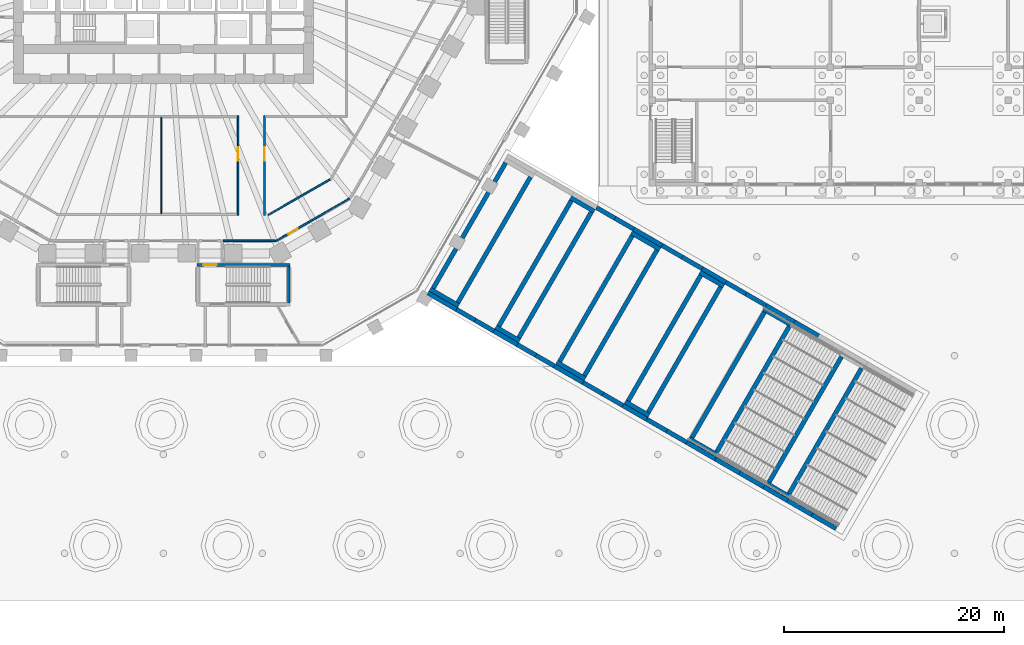
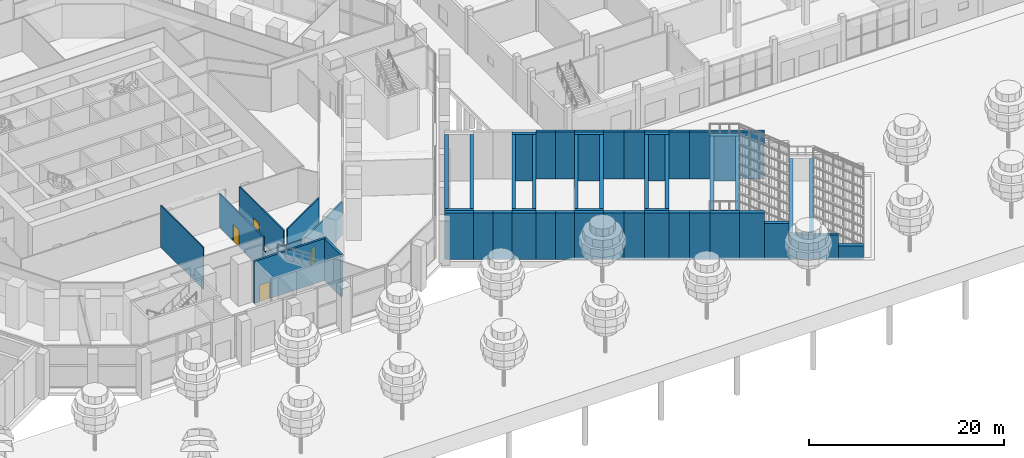
# One storey, part 19 of 44: 58 walls, 4 doors, 4 openings.
"""IFC4 building model written with IfcOpenShell, lengths in metres."""

from ifc_helpers import new_model, si_unit, direction, frame, frame_2d, origin, place, context, subcontext, project, spatial, rectangle, extrude, material, layer, layer_set, type_object, element, fill, save


model = new_model("IFC4")

# Units and contexts
model_context = context("Model", 3, precision=1e-05, world=origin(), true_north=direction((0.0, 1.0)))
body_context = subcontext(model_context, "Body", "Model", "MODEL_VIEW")
ifc_project = project(units=[si_unit("LENGTHUNIT", "METRE"), si_unit("AREAUNIT", "SQUARE_METRE"), si_unit("VOLUMEUNIT", "CUBIC_METRE"), si_unit("PLANEANGLEUNIT", "RADIAN"), si_unit("MASSUNIT", "GRAM", prefix="KILO")], contexts=[model_context])

# Site, building, storey
site_placement = place(None, origin())
site = spatial("IfcSite", under=ifc_project, at=site_placement, CompositionType="ELEMENT")
building_placement = place(site_placement, origin())
building = spatial("IfcBuilding", under=site, at=building_placement, Name="Frailejon Research Tower", CompositionType="ELEMENT")
storey_placement = place(building_placement, origin())
storey = spatial("IfcBuildingStorey", under=building, at=storey_placement, Name="L00", CompositionType="ELEMENT", Elevation=0.0)

# Walls
ifc_material_1 = material(Name="Gypsum board and masonry partition", Category="masonry")
ifc_layer_1 = layer(ifc_material_1, 0.14990234375)
ifc_layer_set_1 = layer_set([ifc_layer_1], Name="Corridor wall EI 60, gypsum on steel studs 150")
wall_type_1 = type_object("IfcWallType", Name="Corridor wall EI 60, gypsum on steel studs 150", PredefinedType="PARTITIONING", material=ifc_layer_set_1)
wall_1_placement = place(storey_placement, frame((5.431884765625, -25.550048828125, 0.0), z_axis=(0.0, 0.0, 1.0), x_axis=(1.0, 0.0, 0.0)))
element("IfcWall", 1, at=wall_1_placement, inside=storey, type_object=wall_type_1, Name="T:IW:L00:035", PredefinedType="PARTITIONING", context=body_context, shape_type="SweptSolid", body=[
    extrude(rectangle(XDim=4.764892578125, YDim=0.14990234375, at=frame_2d((2.38232421875, 0.0))), origin(), (0.0, 0.0, 1.0), 4.199951171875),
])
wall_2_placement = place(storey_placement, frame((9.563720703125, -23.1875, 0.0), z_axis=(0.0, 0.0, 1.0), x_axis=(0.866024786089, 0.500001069878, 0.0)))
element("IfcWall", 2, at=wall_2_placement, inside=storey, type_object=wall_type_1, Name="T:IW:L00:036", PredefinedType="PARTITIONING", context=body_context, shape_type="SweptSolid", body=[
    extrude(rectangle(XDim=6.47265625, YDim=0.14990234375, at=frame_2d((3.236328125, 0.0))), origin(), (0.0, 0.0, 1.0), 4.199951171875),
])

# Wall, opening, door
wall_3_placement = place(storey_placement, frame((10.206787109375, -25.58740234375, 0.0), z_axis=(0.0, 0.0, 1.0), x_axis=(0.866023143435, 0.50000391502, 0.0)))
wall_3 = element("IfcWall", 3, at=wall_3_placement, inside=storey, type_object=wall_type_1, Name="T:IW:L00:038", PredefinedType="PARTITIONING", context=body_context, shape_type="SweptSolid", body=[
    extrude(rectangle(XDim=7.7587890625, YDim=0.14990234375, at=frame_2d((3.87939453125, 0.0))), origin(), (0.0, 0.0, 1.0), 4.199951171875),
])
opening_1_placement = place(wall_3_placement, frame((1.333740234375, 0.0, 0.0)))
opening_1 = element("IfcOpeningElement", 4, at=opening_1_placement, cuts=wall_3, Name="Opening D1018", PredefinedType="OPENING", context=body_context, shape_type="SweptSolid", body=[
    extrude(rectangle(XDim=1.0, YDim=2.10009765625, at=frame_2d((0.5, 1.050048828125))), frame((0.0, 0.0849609375, 0.0), z_axis=(0.0, -1.0, 0.0), x_axis=(1.0, 0.0, 0.0)), (0.0, 0.0, 1.0), 0.169921875),
])
ifc_material_2 = material(Name="Timber door leaf", Category="wood")
door_type_1 = type_object("IfcDoorType", Name="Door single leaf, timber, steel frame 1000", OperationType="NOTDEFINED", PredefinedType="DOOR", material=ifc_material_2)
door_1_placement = place(opening_1_placement, origin())
door_1 = element("IfcDoor", 5, at=door_1_placement, inside=storey, type_object=door_type_1, Name="D1018", OperationType="SINGLE_SWING_RIGHT", OverallHeight=2.10009765625, OverallWidth=1.0, PredefinedType="DOOR", context=body_context, shape_type="SweptSolid", body=[
    extrude(rectangle(XDim=1.0, YDim=2.10009765625, at=frame_2d((0.5, 1.050048828125))), frame((0.0, 0.02490234375, 0.0), z_axis=(0.0, -1.0, 0.0), x_axis=(1.0, 0.0, 0.0)), (0.0, 0.0, 1.0), 0.050048828125),
])
fill(opening_1, door_1)

wall_4_placement = place(storey_placement, frame((6.800048828125, -23.22509765625, 0.0), z_axis=(0.0, 0.0, 1.0), x_axis=(0.0, 1.0, 0.0)))
wall_4 = element("IfcWall", 6, at=wall_4_placement, inside=storey, type_object=wall_type_1, Name="T:IW:L00:043", PredefinedType="PARTITIONING", context=body_context, shape_type="SweptSolid", body=[
    extrude(rectangle(XDim=9.050048828125, YDim=0.14990234375, at=frame_2d((4.52490234375, 0.0))), origin(), (0.0, 0.0, 1.0), 4.199951171875),
])
opening_2_placement = place(wall_4_placement, frame((4.97509765625, 0.0, 0.0)))
opening_2 = element("IfcOpeningElement", 7, at=opening_2_placement, cuts=wall_4, Name="Opening D1015", PredefinedType="OPENING", context=body_context, shape_type="SweptSolid", body=[
    extrude(rectangle(XDim=1.199951171875, YDim=2.10009765625, at=frame_2d((0.60009765625, 1.050048828125))), frame((0.0, 0.0849609375, 0.0), z_axis=(0.0, -1.0, 0.0), x_axis=(1.0, 0.0, 0.0)), (0.0, 0.0, 1.0), 0.169921875),
])
ifc_material_3 = material(Name="Timber door leaf", Category="wood")
door_type_2 = type_object("IfcDoorType", Name="Door single leaf, timber, steel frame 1200", OperationType="NOTDEFINED", PredefinedType="DOOR", material=ifc_material_3)
door_2_placement = place(opening_2_placement, origin())
door_2 = element("IfcDoor", 8, at=door_2_placement, inside=storey, type_object=door_type_2, Name="D1015", OperationType="DOUBLE_DOOR_SINGLE_SWING", OverallHeight=2.10009765625, OverallWidth=1.199951171875, PredefinedType="DOOR", context=body_context, shape_type="SweptSolid", body=[
    extrude(rectangle(XDim=1.199951171875, YDim=2.10009765625, at=frame_2d((0.60009765625, 1.050048828125))), frame((0.0, 0.02490234375, 0.0), z_axis=(0.0, -1.0, 0.0), x_axis=(1.0, 0.0, 0.0)), (0.0, 0.0, 1.0), 0.050048828125),
])
fill(opening_2, door_2)

wall_5_placement = place(storey_placement, frame((9.199951171875, -23.22509765625, 0.0), z_axis=(0.0, 0.0, 1.0), x_axis=(0.0, 1.0, 0.0)))
wall_5 = element("IfcWall", 9, at=wall_5_placement, inside=storey, type_object=wall_type_1, Name="T:IW:L00:044", PredefinedType="PARTITIONING", context=body_context, shape_type="SweptSolid", body=[
    extrude(rectangle(XDim=9.050048828125, YDim=0.14990234375, at=frame_2d((4.52490234375, 0.0))), origin(), (0.0, 0.0, 1.0), 4.199951171875),
])
opening_3_placement = place(wall_5_placement, frame((4.97509765625, 0.0, 0.0)))
opening_3 = element("IfcOpeningElement", 10, at=opening_3_placement, cuts=wall_5, Name="Opening D1017", PredefinedType="OPENING", context=body_context, shape_type="SweptSolid", body=[
    extrude(rectangle(XDim=1.199951171875, YDim=2.10009765625, at=frame_2d((0.60009765625, 1.050048828125))), frame((0.0, 0.0849609375, 0.0), z_axis=(0.0, -1.0, 0.0), x_axis=(1.0, 0.0, 0.0)), (0.0, 0.0, 1.0), 0.169921875),
])
door_3_placement = place(opening_3_placement, origin())
door_3 = element("IfcDoor", 11, at=door_3_placement, inside=storey, type_object=door_type_2, Name="D1017", OperationType="DOUBLE_DOOR_SINGLE_SWING", OverallHeight=2.10009765625, OverallWidth=1.199951171875, PredefinedType="DOOR", context=body_context, shape_type="SweptSolid", body=[
    extrude(rectangle(XDim=1.199951171875, YDim=2.10009765625, at=frame_2d((0.60009765625, 1.050048828125))), frame((0.0, 0.02490234375, 0.0), z_axis=(0.0, -1.0, 0.0), x_axis=(1.0, 0.0, 0.0)), (0.0, 0.0, 1.0), 0.050048828125),
])
fill(opening_3, door_3)

# Walls
ifc_material_4 = material(Name="Gypsum board and masonry partition", Category="masonry")
ifc_layer_2 = layer(ifc_material_4, 0.10009765625)
ifc_layer_set_2 = layer_set([ifc_layer_2], Name="Partition, gypsum on steel studs 100")
wall_type_2 = type_object("IfcWallType", Name="Partition, gypsum on steel studs 100", PredefinedType="PARTITIONING", material=ifc_layer_set_2)
wall_6_placement = place(storey_placement, frame((-0.2109375, -23.074951171875, 0.0), z_axis=(0.0, 0.0, 1.0), x_axis=(0.0, 1.0, 0.0)))
element("IfcWall", 12, at=wall_6_placement, inside=storey, type_object=wall_type_2, Name="T:IW:L00:098", PredefinedType="PARTITIONING", context=body_context, shape_type="SweptSolid", body=[
    extrude(rectangle(XDim=8.75, YDim=0.10009765625, at=frame_2d((4.375, 0.0))), origin(), (0.0, 0.0, 1.0), 5.25),
])
ifc_material_5 = material(Name="Concrete C50/60", Category="concrete")
ifc_layer_3 = layer(ifc_material_5, 0.25)
ifc_layer_set_3 = layer_set([ifc_layer_3], Name="Stair enclosure wall EI 120, Concrete C50/60 250")
wall_type_3 = type_object("IfcWallType", Name="Stair enclosure wall EI 120, Concrete C50/60 250", PredefinedType="SOLIDWALL", material=ifc_layer_set_3)
wall_7_placement = place(storey_placement, frame((11.40185546875, -31.22509765625, 0.0), z_axis=(0.0, 0.0, 1.0), x_axis=(0.0, 1.0, 0.0)))
element("IfcWall", 13, at=wall_7_placement, inside=storey, type_object=wall_type_3, Name="T:IW:L00:112", PredefinedType="SOLIDWALL", context=body_context, shape_type="SweptSolid", body=[
    extrude(rectangle(XDim=3.35009765625, YDim=0.25, at=frame_2d((1.675048828125, 0.0))), origin(), (0.0, 0.0, 1.0), 5.25),
])

# Wall, opening, door
wall_8_placement = place(storey_placement, frame((3.031982421875, -27.75, 0.0), z_axis=(0.0, 0.0, 1.0), x_axis=(1.0, 0.0, 0.0)))
wall_8 = element("IfcWall", 14, at=wall_8_placement, inside=storey, type_object=wall_type_3, Name="T:IW:L00:115", PredefinedType="SOLIDWALL", context=body_context, shape_type="SweptSolid", body=[
    extrude(rectangle(XDim=8.494873046875, YDim=0.25, at=frame_2d((4.24755859375, 0.0))), origin(), (0.0, 0.0, 1.0), 5.25),
])
opening_4_placement = place(wall_8_placement, frame((1.800048828125, 0.0, 0.0), z_axis=(0.0, 0.0, 1.0), x_axis=(-1.0, 0.0, 0.0)))
opening_4 = element("IfcOpeningElement", 15, at=opening_4_placement, cuts=wall_8, Name="Opening PSD11", PredefinedType="OPENING", context=body_context, shape_type="SweptSolid", body=[
    extrude(rectangle(XDim=1.199951171875, YDim=2.10009765625, at=frame_2d((0.60009765625, 1.050048828125))), frame((0.0, 0.135009765625, 0.0), z_axis=(0.0, -1.0, 0.0), x_axis=(1.0, 0.0, 0.0)), (0.0, 0.0, 1.0), 0.27001953125),
])
ifc_material_6 = material(Name="Steel door leaf", Category="steel")
door_type_3 = type_object("IfcDoorType", Name="Door exit passage, steel, fire rated 1200", OperationType="NOTDEFINED", PredefinedType="DOOR", material=ifc_material_6)
door_4_placement = place(opening_4_placement, origin())
door_4 = element("IfcDoor", 16, at=door_4_placement, inside=storey, type_object=door_type_3, Name="PSD11", OperationType="SINGLE_SWING_RIGHT", OverallHeight=2.10009765625, OverallWidth=1.199951171875, PredefinedType="DOOR", context=body_context, shape_type="SweptSolid", body=[
    extrude(rectangle(XDim=1.199951171875, YDim=2.10009765625, at=frame_2d((0.60009765625, 1.050048828125))), frame((0.0, 0.02490234375, 0.0), z_axis=(0.0, -1.0, 0.0), x_axis=(1.0, 0.0, 0.0)), (0.0, 0.0, 1.0), 0.050048828125),
])
fill(opening_4, door_4)

# Walls
ifc_material_7 = material(Name="Concrete C35/45", Category="concrete")
ifc_layer_4 = layer(ifc_material_7, 0.39990234375)
ifc_layer_set_4 = layer_set([ifc_layer_4], Name="Stair plinth wall 400")
wall_type_4 = type_object("IfcWallType", Name="Stair plinth wall 400", PredefinedType="SOLIDWALL", material=ifc_layer_set_4)
wall_9_placement = place(storey_placement, frame((24.27685546875, -29.951171875, -0.25), z_axis=(0.0, 0.0, 1.0), x_axis=(0.866031096941, -0.499990139034, 0.0)))
element("IfcWall", 17, at=wall_9_placement, inside=storey, type_object=wall_type_4, Name="Broad stair E plinth", PredefinedType="SOLIDWALL", context=body_context, shape_type="SweptSolid", body=[
    extrude(rectangle(XDim=3.0, YDim=0.39990234375, at=frame_2d((1.5, 0.0))), origin(), (0.0, 0.0, 1.0), 5.85009765625),
])
for number, where, z_axis, x_axis, name in (
    (18, (24.550048828125, -29.8779296875, -0.25), (0.0, 0.0, 1.0), (0.500002094529, 0.866024194504, 0.0), "Broad stair E plinth"),
    (19, (26.8017578125, -31.177978515625, -0.25), (0.0, 0.0, 1.0), (0.500002094529, 0.866024194504, 0.0), "Broad stair E plinth"),
):
    element("IfcWall", number, at=place(storey_placement, frame(where, z_axis=z_axis, x_axis=x_axis)), inside=storey, type_object=wall_type_4, Name=name, PredefinedType="SOLIDWALL", context=body_context, shape_type="SweptSolid", body=[
        extrude(rectangle(XDim=13.2001953125, YDim=0.39990234375, at=frame_2d((6.60009765625, 0.0))), origin(), (0.0, 0.0, 1.0), 5.85009765625),
    ])
for number, where, z_axis, x_axis, name in (
    (20, (30.25244140625, -33.401123046875, -0.25), (0.0, 0.0, 1.0), (0.866022959057, -0.500004234368, 0.0), "Broad stair E plinth"),
    (21, (37.052490234375, -21.623291015625, -0.25), (0.0, 0.0, 1.0), (0.866022959057, -0.500004234368, 0.0), "Broad stair E plinth"),
):
    element("IfcWall", number, at=place(storey_placement, frame(where, z_axis=z_axis, x_axis=x_axis)), inside=storey, type_object=wall_type_4, Name=name, PredefinedType="SOLIDWALL", context=body_context, shape_type="SweptSolid", body=[
        extrude(rectangle(XDim=2.5, YDim=0.39990234375, at=frame_2d((1.25, 0.0))), origin(), (0.0, 0.0, 1.0), 5.85009765625),
    ])
wall_10_placement = place(storey_placement, frame((30.525634765625, -33.327880859375, -0.25), z_axis=(0.0, 0.0, 1.0), x_axis=(0.500010103361, 0.866019570528, 0.0)))
element("IfcWall", 22, at=wall_10_placement, inside=storey, type_object=wall_type_4, Name="Broad stair E plinth", PredefinedType="SOLIDWALL", context=body_context, shape_type="SweptSolid", body=[
    extrude(rectangle(XDim=13.199951171875, YDim=0.39990234375, at=frame_2d((6.60009765625, 0.0))), origin(), (0.0, 0.0, 1.0), 5.85009765625),
])
wall_11_placement = place(storey_placement, frame((32.34423828125, -34.3779296875, -0.25), z_axis=(0.0, 0.0, 1.0), x_axis=(0.500002094529, 0.866024194504, 0.0)))
element("IfcWall", 23, at=wall_11_placement, inside=storey, type_object=wall_type_4, Name="Broad stair E plinth", PredefinedType="SOLIDWALL", context=body_context, shape_type="SweptSolid", body=[
    extrude(rectangle(XDim=13.2001953125, YDim=0.39990234375, at=frame_2d((6.60009765625, 0.0))), origin(), (0.0, 0.0, 1.0), 5.85009765625),
])
for number, where, z_axis, x_axis, name in (
    (24, (35.795166015625, -36.601318359375, -0.25), (0.0, 0.0, 1.0), (0.866010750942, -0.50002537861, 0.0), "Broad stair E plinth"),
    (25, (42.59521484375, -24.8232421875, -0.25), (0.0, 0.0, 1.0), (0.866010750942, -0.50002537861, 0.0), "Broad stair E plinth"),
):
    element("IfcWall", number, at=place(storey_placement, frame(where, z_axis=z_axis, x_axis=x_axis)), inside=storey, type_object=wall_type_4, Name=name, PredefinedType="SOLIDWALL", context=body_context, shape_type="SweptSolid", body=[
        extrude(rectangle(XDim=2.999755859375, YDim=0.39990234375, at=frame_2d((1.5, 0.0))), origin(), (0.0, 0.0, 1.0), 5.85009765625),
    ])
wall_12_placement = place(storey_placement, frame((36.068359375, -36.52783203125, -0.25), z_axis=(0.0, 0.0, 1.0), x_axis=(0.499996231654, 0.866027579429, 0.0)))
element("IfcWall", 26, at=wall_12_placement, inside=storey, type_object=wall_type_4, Name="Broad stair E plinth", PredefinedType="SOLIDWALL", context=body_context, shape_type="SweptSolid", body=[
    extrude(rectangle(XDim=13.19970703125, YDim=0.39990234375, at=frame_2d((6.599853515625, 0.0))), origin(), (0.0, 0.0, 1.0), 5.85009765625),
])
wall_13_placement = place(storey_placement, frame((38.31982421875, -37.827880859375, -0.25), z_axis=(0.0, 0.0, 1.0), x_axis=(0.500010103361, 0.866019570528, 0.0)))
element("IfcWall", 27, at=wall_13_placement, inside=storey, type_object=wall_type_4, Name="Broad stair E plinth", PredefinedType="SOLIDWALL", context=body_context, shape_type="SweptSolid", body=[
    extrude(rectangle(XDim=13.199951171875, YDim=0.39990234375, at=frame_2d((6.60009765625, 0.0))), origin(), (0.0, 0.0, 1.0), 5.85009765625),
])
wall_14_placement = place(storey_placement, frame((42.030517578125, -40.201171875, -0.25), z_axis=(0.0, 0.0, 1.0), x_axis=(0.866022959057, -0.500004234368, 0.0)))
element("IfcWall", 28, at=wall_14_placement, inside=storey, type_object=wall_type_4, Name="Broad stair E plinth", PredefinedType="SOLIDWALL", context=body_context, shape_type="SweptSolid", body=[
    extrude(rectangle(XDim=2.5, YDim=0.39990234375, at=frame_2d((1.25, 0.0))), origin(), (0.0, 0.0, 1.0), 5.85009765625),
])
wall_15_placement = place(storey_placement, frame((48.830322265625, -28.423095703125, -0.25), z_axis=(0.0, 0.0, 1.0), x_axis=(0.866047370643, -0.499961950354, 0.0)))
element("IfcWall", 29, at=wall_15_placement, inside=storey, type_object=wall_type_4, Name="Broad stair E plinth", PredefinedType="SOLIDWALL", context=body_context, shape_type="SweptSolid", body=[
    extrude(rectangle(XDim=2.500244140625, YDim=0.39990234375, at=frame_2d((1.25, 0.0))), origin(), (0.0, 0.0, 1.0), 5.85009765625),
])
wall_16_placement = place(storey_placement, frame((42.3037109375, -40.1279296875, -0.25), z_axis=(0.0, 0.0, 1.0), x_axis=(0.499988222896, 0.866032203192, 0.0)))
element("IfcWall", 30, at=wall_16_placement, inside=storey, type_object=wall_type_4, Name="Broad stair E plinth", PredefinedType="SOLIDWALL", context=body_context, shape_type="SweptSolid", body=[
    extrude(rectangle(XDim=13.199951171875, YDim=0.39990234375, at=frame_2d((6.60009765625, 0.0))), origin(), (0.0, 0.0, 1.0), 5.85009765625),
])
wall_17_placement = place(storey_placement, frame((44.122314453125, -41.177978515625, -0.25), z_axis=(0.0, 0.0, 1.0), x_axis=(0.500002094529, 0.866024194504, 0.0)))
element("IfcWall", 31, at=wall_17_placement, inside=storey, type_object=wall_type_4, Name="Broad stair E plinth", PredefinedType="SOLIDWALL", context=body_context, shape_type="SweptSolid", body=[
    extrude(rectangle(XDim=13.2001953125, YDim=0.39990234375, at=frame_2d((6.60009765625, 0.0))), origin(), (0.0, 0.0, 1.0), 5.85009765625),
])
for number, where, z_axis, x_axis, name in (
    (32, (47.832763671875, -43.55126953125, -0.25), (0.0, 0.0, 1.0), (0.866031096941, -0.499990139034, 0.0), "Broad stair E plinth"),
    (33, (54.6328125, -31.773193359375, -0.25), (0.0, 0.0, 1.0), (0.866031096941, -0.499990139034, 0.0), "Broad stair E plinth"),
):
    element("IfcWall", number, at=place(storey_placement, frame(where, z_axis=z_axis, x_axis=x_axis)), inside=storey, type_object=wall_type_4, Name=name, PredefinedType="SOLIDWALL", context=body_context, shape_type="SweptSolid", body=[
        extrude(rectangle(XDim=3.0, YDim=0.39990234375, at=frame_2d((1.5, 0.0))), origin(), (0.0, 0.0, 1.0), 5.64990234375),
    ])
for number, where, z_axis, x_axis, name in (
    (34, (48.10595703125, -43.477783203125, -0.25), (0.0, 0.0, 1.0), (0.500010103361, 0.866019570528, 0.0), "Broad stair E plinth"),
    (35, (50.357666015625, -44.77783203125, -0.25), (0.0, 0.0, 1.0), (0.500010103361, 0.866019570528, 0.0), "Broad stair E plinth"),
):
    element("IfcWall", number, at=place(storey_placement, frame(where, z_axis=z_axis, x_axis=x_axis)), inside=storey, type_object=wall_type_4, Name=name, PredefinedType="SOLIDWALL", context=body_context, shape_type="SweptSolid", body=[
        extrude(rectangle(XDim=13.199951171875, YDim=0.39990234375, at=frame_2d((6.60009765625, 0.0))), origin(), (0.0, 0.0, 1.0), 5.64990234375),
    ])
wall_18_placement = place(storey_placement, frame((54.84765625, -47.601318359375, -0.25), z_axis=(0.0, 0.0, 1.0), x_axis=(0.866022959057, -0.500004234368, 0.0)))
element("IfcWall", 36, at=wall_18_placement, inside=storey, type_object=wall_type_4, Name="Broad stair E plinth", PredefinedType="SOLIDWALL", context=body_context, shape_type="SweptSolid", body=[
    extrude(rectangle(XDim=2.5, YDim=0.39990234375, at=frame_2d((1.25, 0.0))), origin(), (0.0, 0.0, 1.0), 2.85009765625),
])
wall_19_placement = place(storey_placement, frame((55.120849609375, -47.52783203125, -0.25), z_axis=(0.0, 0.0, 1.0), x_axis=(0.499996231654, 0.866027579429, 0.0)))
element("IfcWall", 37, at=wall_19_placement, inside=storey, type_object=wall_type_4, Name="Broad stair E plinth", PredefinedType="SOLIDWALL", context=body_context, shape_type="SweptSolid", body=[
    extrude(rectangle(XDim=13.19970703125, YDim=0.39990234375, at=frame_2d((6.599853515625, 0.0))), origin(), (0.0, 0.0, 1.0), 2.85009765625),
])
wall_20_placement = place(storey_placement, frame((56.939453125, -48.577880859375, -0.25), z_axis=(0.0, 0.0, 1.0), x_axis=(0.500010103361, 0.866019570528, 0.0)))
element("IfcWall", 38, at=wall_20_placement, inside=storey, type_object=wall_type_4, Name="Broad stair E plinth", PredefinedType="SOLIDWALL", context=body_context, shape_type="SweptSolid", body=[
    extrude(rectangle(XDim=13.199951171875, YDim=0.39990234375, at=frame_2d((6.60009765625, 0.0))), origin(), (0.0, 0.0, 1.0), 2.85009765625),
])
wall_21_placement = place(storey_placement, frame((24.076904296875, -30.297607421875, -0.25), z_axis=(0.0, 0.0, 1.0), x_axis=(0.866031096941, -0.499990139034, 0.0)))
element("IfcWall", 39, at=wall_21_placement, inside=storey, type_object=wall_type_4, Name="Broad stair E cheek wall", PredefinedType="SOLIDWALL", context=body_context, shape_type="SweptSolid", body=[
    extrude(rectangle(XDim=3.0, YDim=0.39990234375, at=frame_2d((1.5, 0.0))), origin(), (0.0, 0.0, 1.0), 5.85009765625),
])
for number, where, z_axis, x_axis, name in (
    (40, (26.675048828125, -31.797607421875, -0.25), (0.0, 0.0, 1.0), (0.866000020948, -0.500043961785, 0.0), "Broad stair E cheek wall"),
    (41, (28.36376953125, -32.772705078125, -0.25), (0.0, 0.0, 1.0), (0.866054235095, -0.49995005938, 0.0), "Broad stair E cheek wall"),
):
    element("IfcWall", number, at=place(storey_placement, frame(where, z_axis=z_axis, x_axis=x_axis)), inside=storey, type_object=wall_type_4, Name=name, PredefinedType="SOLIDWALL", context=body_context, shape_type="SweptSolid", body=[
        extrude(rectangle(XDim=1.949951171875, YDim=0.39990234375, at=frame_2d((0.97509765625, 0.0))), origin(), (0.0, 0.0, 1.0), 5.85009765625),
    ])
wall_22_placement = place(storey_placement, frame((30.052490234375, -33.74755859375, -0.25), z_axis=(0.0, 0.0, 1.0), x_axis=(0.866022959057, -0.500004234368, 0.0)))
element("IfcWall", 42, at=wall_22_placement, inside=storey, type_object=wall_type_4, Name="Broad stair E cheek wall", PredefinedType="SOLIDWALL", context=body_context, shape_type="SweptSolid", body=[
    extrude(rectangle(XDim=2.5, YDim=0.39990234375, at=frame_2d((1.25, 0.0))), origin(), (0.0, 0.0, 1.0), 5.85009765625),
])
for number, where, z_axis, x_axis, name in (
    (43, (32.217529296875, -34.99755859375, -0.25), (0.0, 0.0, 1.0), (0.866000020948, -0.500043961785, 0.0), "Broad stair E cheek wall"),
    (44, (39.41748046875, -22.52685546875, -0.25), (0.0, 0.0, 1.0), (0.866054235095, -0.49995005938, 0.0), "Broad stair E cheek wall"),
):
    element("IfcWall", number, at=place(storey_placement, frame(where, z_axis=z_axis, x_axis=x_axis)), inside=storey, type_object=wall_type_4, Name=name, PredefinedType="SOLIDWALL", context=body_context, shape_type="SweptSolid", body=[
        extrude(rectangle(XDim=1.949951171875, YDim=0.39990234375, at=frame_2d((0.97509765625, 0.0))), origin(), (0.0, 0.0, 1.0), 5.85009765625),
    ])
for number, where, z_axis, x_axis, name in (
    (45, (33.90625, -35.97265625, -0.25), (0.0, 0.0, 1.0), (0.866085525409, -0.49989585183, 0.0), "Broad stair E cheek wall"),
    (46, (41.106201171875, -23.501708984375, -0.25), (0.0, 0.0, 1.0), (0.866031321059, -0.49998975084, 0.0), "Broad stair E cheek wall"),
):
    element("IfcWall", number, at=place(storey_placement, frame(where, z_axis=z_axis, x_axis=x_axis)), inside=storey, type_object=wall_type_4, Name=name, PredefinedType="SOLIDWALL", context=body_context, shape_type="SweptSolid", body=[
        extrude(rectangle(XDim=1.9501953125, YDim=0.39990234375, at=frame_2d((0.97509765625, 0.0))), origin(), (0.0, 0.0, 1.0), 5.85009765625),
    ])
for number, where, z_axis, x_axis, name in (
    (47, (35.59521484375, -36.947509765625, -0.25), (0.0, 0.0, 1.0), (0.866010750942, -0.50002537861, 0.0), "Broad stair E cheek wall"),
    (48, (42.795166015625, -24.476806640625, -0.25), (0.0, 0.0, 1.0), (0.866010750942, -0.50002537861, 0.0), "Broad stair E cheek wall"),
):
    element("IfcWall", number, at=place(storey_placement, frame(where, z_axis=z_axis, x_axis=x_axis)), inside=storey, type_object=wall_type_4, Name=name, PredefinedType="SOLIDWALL", context=body_context, shape_type="SweptSolid", body=[
        extrude(rectangle(XDim=2.999755859375, YDim=0.39990234375, at=frame_2d((1.5, 0.0))), origin(), (0.0, 0.0, 1.0), 5.85009765625),
    ])
for number, where, z_axis, x_axis, name in (
    (49, (38.193115234375, -38.447509765625, -0.25), (0.0, 0.0, 1.0), (0.866009402589, -0.500027713859, 0.0), "Broad stair E cheek wall"),
    (50, (45.39306640625, -25.976806640625, -0.25), (0.0, 0.0, 1.0), (0.866038466041, -0.499977374825, 0.0), "Broad stair E cheek wall"),
    (51, (40.01171875, -39.49755859375, -0.25), (0.0, 0.0, 1.0), (0.866009402589, -0.500027713859, 0.0), "Broad stair E cheek wall"),
    (52, (47.2119140625, -27.02685546875, -0.25), (0.0, 0.0, 1.0), (0.866009402589, -0.500027713859, 0.0), "Broad stair E cheek wall"),
):
    element("IfcWall", number, at=place(storey_placement, frame(where, z_axis=z_axis, x_axis=x_axis)), inside=storey, type_object=wall_type_4, Name=name, PredefinedType="SOLIDWALL", context=body_context, shape_type="SweptSolid", body=[
        extrude(rectangle(XDim=2.10009765625, YDim=0.39990234375, at=frame_2d((1.050048828125, 0.0))), origin(), (0.0, 0.0, 1.0), 5.85009765625),
    ])
wall_23_placement = place(storey_placement, frame((41.830322265625, -40.547607421875, -0.25), z_axis=(0.0, 0.0, 1.0), x_axis=(0.866047370643, -0.499961950354, 0.0)))
element("IfcWall", 53, at=wall_23_placement, inside=storey, type_object=wall_type_4, Name="Broad stair E cheek wall", PredefinedType="SOLIDWALL", context=body_context, shape_type="SweptSolid", body=[
    extrude(rectangle(XDim=2.500244140625, YDim=0.39990234375, at=frame_2d((1.25, 0.0))), origin(), (0.0, 0.0, 1.0), 5.85009765625),
])
wall_24_placement = place(storey_placement, frame((49.030517578125, -28.076904296875, -0.25), z_axis=(0.0, 0.0, 1.0), x_axis=(0.866022959057, -0.500004234368, 0.0)))
element("IfcWall", 54, at=wall_24_placement, inside=storey, type_object=wall_type_4, Name="Broad stair E cheek wall", PredefinedType="SOLIDWALL", context=body_context, shape_type="SweptSolid", body=[
    extrude(rectangle(XDim=2.5, YDim=0.39990234375, at=frame_2d((1.25, 0.0))), origin(), (0.0, 0.0, 1.0), 5.85009765625),
])
wall_25_placement = place(storey_placement, frame((43.99560546875, -41.797607421875, -0.25), z_axis=(0.0, 0.0, 1.0), x_axis=(0.866009402589, -0.500027713859, 0.0)))
element("IfcWall", 55, at=wall_25_placement, inside=storey, type_object=wall_type_4, Name="Broad stair E cheek wall", PredefinedType="SOLIDWALL", context=body_context, shape_type="SweptSolid", body=[
    extrude(rectangle(XDim=2.10009765625, YDim=0.39990234375, at=frame_2d((1.050048828125, 0.0))), origin(), (0.0, 0.0, 1.0), 5.85009765625),
])
wall_26_placement = place(storey_placement, frame((51.195556640625, -29.326904296875, -0.25), z_axis=(0.0, 0.0, 1.0), x_axis=(0.866059744384, -0.49994051562, 0.0)))
element("IfcWall", 56, at=wall_26_placement, inside=storey, type_object=wall_type_4, Name="Broad stair E cheek wall", PredefinedType="SOLIDWALL", context=body_context, shape_type="SweptSolid", body=[
    extrude(rectangle(XDim=2.099853515625, YDim=0.39990234375, at=frame_2d((1.0498046875, 0.0))), origin(), (0.0, 0.0, 1.0), 5.85009765625),
])
for number, where, z_axis, x_axis, name in (
    (57, (45.814208984375, -42.84765625, -0.25), (0.0, 0.0, 1.0), (0.866009402589, -0.500027713859, 0.0), "Broad stair E cheek wall"),
    (58, (53.01416015625, -30.376708984375, -0.25), (0.0, 0.0, 1.0), (0.866009402589, -0.500027713859, 0.0), "Broad stair E cheek wall"),
):
    element("IfcWall", number, at=place(storey_placement, frame(where, z_axis=z_axis, x_axis=x_axis)), inside=storey, type_object=wall_type_4, Name=name, PredefinedType="SOLIDWALL", context=body_context, shape_type="SweptSolid", body=[
        extrude(rectangle(XDim=2.10009765625, YDim=0.39990234375, at=frame_2d((1.050048828125, 0.0))), origin(), (0.0, 0.0, 1.0), 5.85009765625),
    ])
for number, where, z_axis, x_axis, name in (
    (59, (47.6328125, -43.897705078125, -0.25), (0.0, 0.0, 1.0), (0.866031096941, -0.499990139034, 0.0), "Broad stair E cheek wall"),
    (60, (54.832763671875, -31.4267578125, -0.25), (0.0, 0.0, 1.0), (0.866031096941, -0.499990139034, 0.0), "Broad stair E cheek wall"),
):
    element("IfcWall", number, at=place(storey_placement, frame(where, z_axis=z_axis, x_axis=x_axis)), inside=storey, type_object=wall_type_4, Name=name, PredefinedType="SOLIDWALL", context=body_context, shape_type="SweptSolid", body=[
        extrude(rectangle(XDim=3.0, YDim=0.39990234375, at=frame_2d((1.5, 0.0))), origin(), (0.0, 0.0, 1.0), 5.85009765625),
    ])
wall_27_placement = place(storey_placement, frame((50.23095703125, -45.397705078125, -0.25), z_axis=(0.0, 0.0, 1.0), x_axis=(0.866030925526, -0.499990435942, 0.0)))
element("IfcWall", 61, at=wall_27_placement, inside=storey, type_object=wall_type_4, Name="Broad stair E cheek wall", PredefinedType="SOLIDWALL", context=body_context, shape_type="SweptSolid", body=[
    extrude(rectangle(XDim=2.5498046875, YDim=0.39990234375, at=frame_2d((1.27490234375, 0.0))), origin(), (0.0, 0.0, 1.0), 5.85009765625),
])
wall_28_placement = place(storey_placement, frame((57.430908203125, -32.9267578125, -0.25), z_axis=(0.0, 0.0, 1.0), x_axis=(0.865989465428, -0.500062241894, 0.0)))
element("IfcWall", 62, at=wall_28_placement, inside=storey, type_object=wall_type_4, Name="Broad stair E cheek wall", PredefinedType="SOLIDWALL", context=body_context, shape_type="SweptSolid", body=[
    extrude(rectangle(XDim=2.550048828125, YDim=0.39990234375, at=frame_2d((1.27490234375, 0.0))), origin(), (0.0, 0.0, 1.0), 5.85009765625),
])
wall_29_placement = place(storey_placement, frame((52.439208984375, -46.672607421875, -0.25), z_axis=(0.0, 0.0, 1.0), x_axis=(0.866054858364, -0.499948979701, 0.0)))
element("IfcWall", 63, at=wall_29_placement, inside=storey, type_object=wall_type_4, Name="Broad stair E cheek wall", PredefinedType="SOLIDWALL", context=body_context, shape_type="SweptSolid", body=[
    extrude(rectangle(XDim=2.550048828125, YDim=0.39990234375, at=frame_2d((1.27490234375, 0.0))), origin(), (0.0, 0.0, 1.0), 4.52783203125),
])
wall_30_placement = place(storey_placement, frame((54.647705078125, -47.947509765625, -0.25), z_axis=(0.0, 0.0, 1.0), x_axis=(0.866022959057, -0.500004234368, 0.0)))
element("IfcWall", 64, at=wall_30_placement, inside=storey, type_object=wall_type_4, Name="Broad stair E cheek wall", PredefinedType="SOLIDWALL", context=body_context, shape_type="SweptSolid", body=[
    extrude(rectangle(XDim=2.5, YDim=0.39990234375, at=frame_2d((1.25, 0.0))), origin(), (0.0, 0.0, 1.0), 3.050048828125),
])
wall_31_placement = place(storey_placement, frame((56.812744140625, -49.197509765625, -0.25), z_axis=(0.0, 0.0, 1.0), x_axis=(0.865989465428, -0.500062241894, 0.0)))
element("IfcWall", 65, at=wall_31_placement, inside=storey, type_object=wall_type_4, Name="Broad stair E cheek wall", PredefinedType="SOLIDWALL", context=body_context, shape_type="SweptSolid", body=[
    extrude(rectangle(XDim=2.550048828125, YDim=0.39990234375, at=frame_2d((1.27490234375, 0.0))), origin(), (0.0, 0.0, 1.0), 3.050048828125),
])
wall_32_placement = place(storey_placement, frame((59.02099609375, -50.47265625, -0.25), z_axis=(0.0, 0.0, 1.0), x_axis=(0.866054858364, -0.499948979701, 0.0)))
element("IfcWall", 66, at=wall_32_placement, inside=storey, type_object=wall_type_4, Name="Broad stair E cheek wall", PredefinedType="SOLIDWALL", context=body_context, shape_type="SweptSolid", body=[
    extrude(rectangle(XDim=2.550048828125, YDim=0.39990234375, at=frame_2d((1.27490234375, 0.0))), origin(), (0.0, 0.0, 1.0), 1.727783203125),
])

save(model, "model.ifc")
